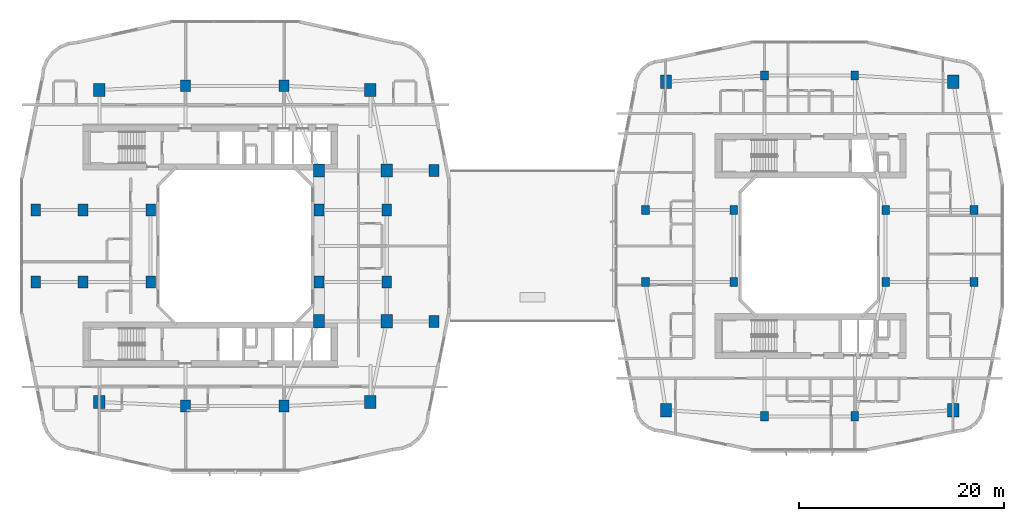
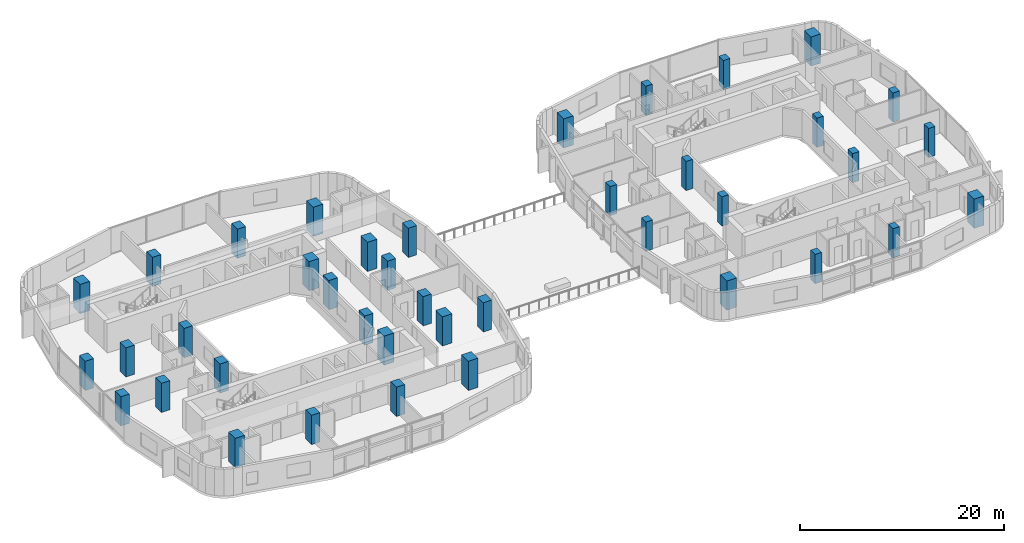
# One storey, part 1 of 25: 40 columns.
"""IFC4 building model written with IfcOpenShell, lengths in metres."""

from ifc_helpers import new_model, si_unit, derived_unit, direction, frame, origin, origin_2d, place, context, subcontext, project, spatial, rectangle, extrude, material, material_profile, profile_set, type_object, element, save


model = new_model("IFC4")

# Units and contexts
model_context = context("Model", 3, precision=1e-05, world=origin(), true_north=direction((0.0, 1.0)))
body_context = subcontext(model_context, "Body", "Model", "MODEL_VIEW")
ifc_project = project(units=[si_unit("LENGTHUNIT", "METRE"), si_unit("AREAUNIT", "SQUARE_METRE"), si_unit("VOLUMEUNIT", "CUBIC_METRE"), si_unit("PLANEANGLEUNIT", "RADIAN"), si_unit("MASSUNIT", "GRAM", prefix="KILO"), derived_unit("THERMALTRANSMITTANCEUNIT", [(si_unit("POWERUNIT", "WATT"), 1), (si_unit("LENGTHUNIT", "METRE"), -2), (si_unit("THERMODYNAMICTEMPERATUREUNIT", "KELVIN"), -1)])], contexts=[model_context])

# Site, building, storey
site_placement = place(None, origin())
site = spatial("IfcSite", under=ifc_project, at=site_placement, CompositionType="ELEMENT")
building_placement = place(site_placement, origin())
building = spatial("IfcBuilding", under=site, at=building_placement, Name="Kivonza Crest Hotel", CompositionType="ELEMENT")
storey_placement = place(building_placement, frame((0.0, 0.0, 24.0)))
storey = spatial("IfcBuildingStorey", under=building, at=storey_placement, Name="L05", CompositionType="ELEMENT", Elevation=24.0)

# Columns
ifc_material_1 = material(Name="Concrete C60/75", Category="concrete")
ifc_material_profile_1 = material_profile(ifc_material_1, rectangle(XDim=0.949951171875, YDim=1.14990234375, at=origin_2d()), Name="RC 1150x950")
ifc_profile_set_1 = profile_set([ifc_material_profile_1], Name="Concrete C60/75")
column_type_1 = type_object("IfcColumnType", Name="CL-RC-1150x950", PredefinedType="COLUMN", material=ifc_profile_set_1)
for number, where, z_axis, x_axis, name in (
    (1, (16.199951171875, 9.39990234375, 0.0), (0.0, 0.0, 1.0), (1.0, 0.0, 0.0), "Tower T1 L05 column S1"),
    (2, (25.800048828125, 9.39990234375, 0.0), (0.0, 0.0, 1.0), (1.0, 0.0, 0.0), "Tower T1 L05 column S2"),
    (3, (16.199951171875, 40.60009765625, 0.0), (0.0, 0.0, 1.0), (1.0, 0.0, 0.0), "Tower T1 L05 column N1"),
    (4, (25.800048828125, 40.60009765625, 0.0), (0.0, 0.0, 1.0), (1.0, 0.0, 0.0), "Tower T1 L05 column N2"),
    (5, (6.199951171875, 21.5, 0.0), (0.0, 0.0, 1.0), (1.0, 0.0, 0.0), "Tower T1 L05 column W1"),
    (6, (6.199951171875, 28.5, 0.0), (0.0, 0.0, 1.0), (1.0, 0.0, 0.0), "Tower T1 L05 column W2"),
    (7, (35.800048828125, 21.5, 0.0), (0.0, 0.0, 1.0), (1.0, 0.0, 0.0), "Tower T1 L05 column E1"),
    (8, (35.800048828125, 28.5, 0.0), (0.0, 0.0, 1.0), (1.0, 0.0, 0.0), "Tower T1 L05 column E2"),
    (9, (12.800048828125, 21.5, 0.0), (0.0, 0.0, 1.0), (1.0, 0.0, 0.0), "Tower T1 L05 column WL1"),
    (10, (12.800048828125, 28.5, 0.0), (0.0, 0.0, 1.0), (1.0, 0.0, 0.0), "Tower T1 L05 column WL2"),
    (11, (29.199951171875, 21.5, 0.0), (0.0, 0.0, 1.0), (1.0, 0.0, 0.0), "Tower T1 L05 column WR1"),
    (12, (29.199951171875, 28.5, 0.0), (0.0, 0.0, 1.0), (1.0, 0.0, 0.0), "Tower T1 L05 column WR2"),
    (13, (1.60009765625, 21.5, 0.0), (0.0, 0.0, 1.0), (1.0, 0.0, 0.0), "Tower T1 L05 column Z1W1"),
    (14, (1.60009765625, 28.5, 0.0), (0.0, 0.0, 1.0), (1.0, 0.0, 0.0), "Tower T1 L05 column Z1W2"),
    (15, (40.39990234375, 17.64990234375, 0.0), (0.0, 0.0, 1.0), (1.0, 0.0, 0.0), "Tower T1 L05 column Z1E1"),
    (16, (40.39990234375, 32.35009765625, 0.0), (0.0, 0.0, 1.0), (1.0, 0.0, 0.0), "Tower T1 L05 column Z1E2"),
):
    element("IfcColumn", number, at=place(storey_placement, frame(where, z_axis=z_axis, x_axis=x_axis)), inside=storey, type_object=column_type_1, Name=name, PredefinedType="COLUMN", context=body_context, shape_type="SweptSolid", body=[
        extrude(rectangle(XDim=0.949951171875, YDim=1.14990234375, at=origin_2d()), origin(), (0.0, 0.0, 1.0), 3.5),
    ])
ifc_material_profile_2 = material_profile(ifc_material_1, rectangle(XDim=1.10009765625, YDim=1.300048828125, at=origin_2d()), Name="RC 1300x1100")
ifc_profile_set_2 = profile_set([ifc_material_profile_2], Name="Concrete C60/75")
column_type_2 = type_object("IfcColumnType", Name="CL-RC-1300x1100", PredefinedType="COLUMN", material=ifc_profile_set_2)
for number, where, z_axis, x_axis, name in (
    (17, (7.800048828125, 9.800048828125, 0.0), (0.0, 0.0, 1.0), (1.0, 0.0, 0.0), "Tower T1 L05 column SW"),
    (18, (34.199951171875, 9.800048828125, 0.0), (0.0, 0.0, 1.0), (1.0, 0.0, 0.0), "Tower T1 L05 column SE"),
    (19, (34.199951171875, 40.199951171875, 0.0), (0.0, 0.0, 1.0), (1.0, 0.0, 0.0), "Tower T1 L05 column NE"),
    (20, (7.800048828125, 40.199951171875, 0.0), (0.0, 0.0, 1.0), (1.0, 0.0, 0.0), "Tower T1 L05 column NW"),
    (21, (35.800048828125, 17.64990234375, 0.0), (0.0, 0.0, 1.0), (1.0, 0.0, 0.0), "Tower T1 L05 column PSE"),
    (22, (35.800048828125, 32.35009765625, 0.0), (0.0, 0.0, 1.0), (1.0, 0.0, 0.0), "Tower T1 L05 column PNE"),
    (23, (29.199951171875, 17.64990234375, 0.0), (0.0, 0.0, 1.0), (1.0, 0.0, 0.0), "Tower T1 L05 column TSE"),
    (24, (29.199951171875, 32.35009765625, 0.0), (0.0, 0.0, 1.0), (1.0, 0.0, 0.0), "Tower T1 L05 column TNE"),
    (25, (63.0, 9.0, 0.0), (0.0, 0.0, 1.0), (1.0, 0.0, 0.0), "Companion Tower T2 L05 column SW"),
    (26, (91.0, 9.0, 0.0), (0.0, 0.0, 1.0), (1.0, 0.0, 0.0), "Companion Tower T2 L05 column SE"),
    (27, (91.0, 41.0, 0.0), (0.0, 0.0, 1.0), (1.0, 0.0, 0.0), "Companion Tower T2 L05 column NE"),
    (28, (63.0, 41.0, 0.0), (0.0, 0.0, 1.0), (1.0, 0.0, 0.0), "Companion Tower T2 L05 column NW"),
):
    element("IfcColumn", number, at=place(storey_placement, frame(where, z_axis=z_axis, x_axis=x_axis)), inside=storey, type_object=column_type_2, Name=name, PredefinedType="COLUMN", context=body_context, shape_type="SweptSolid", body=[
        extrude(rectangle(XDim=1.10009765625, YDim=1.300048828125, at=origin_2d()), origin(), (0.0, 0.0, 1.0), 3.5),
    ])
ifc_material_2 = material(Name="Concrete C50/60", Category="concrete")
ifc_material_profile_3 = material_profile(ifc_material_2, rectangle(XDim=0.75, YDim=0.89990234375, at=origin_2d()), Name="RC 900x750")
ifc_profile_set_3 = profile_set([ifc_material_profile_3], Name="Concrete C50/60")
column_type_3 = type_object("IfcColumnType", Name="CL-RC-900x750", PredefinedType="COLUMN", material=ifc_profile_set_3)
for number, where, z_axis, x_axis, name in (
    (29, (72.60009765625, 8.39990234375, 0.0), (0.0, 0.0, 1.0), (1.0, 0.0, 0.0), "Companion Tower T2 L05 column S1"),
    (30, (81.39990234375, 8.39990234375, 0.0), (0.0, 0.0, 1.0), (1.0, 0.0, 0.0), "Companion Tower T2 L05 column S2"),
    (31, (72.60009765625, 41.60009765625, 0.0), (0.0, 0.0, 1.0), (1.0, 0.0, 0.0), "Companion Tower T2 L05 column N1"),
    (32, (81.39990234375, 41.60009765625, 0.0), (0.0, 0.0, 1.0), (1.0, 0.0, 0.0), "Companion Tower T2 L05 column N2"),
    (33, (61.0, 21.5, 0.0), (0.0, 0.0, 1.0), (1.0, 0.0, 0.0), "Companion Tower T2 L05 column W1"),
    (34, (61.0, 28.5, 0.0), (0.0, 0.0, 1.0), (1.0, 0.0, 0.0), "Companion Tower T2 L05 column W2"),
    (35, (93.0, 21.5, 0.0), (0.0, 0.0, 1.0), (1.0, 0.0, 0.0), "Companion Tower T2 L05 column E1"),
    (36, (93.0, 28.5, 0.0), (0.0, 0.0, 1.0), (1.0, 0.0, 0.0), "Companion Tower T2 L05 column E2"),
    (37, (69.60009765625, 21.5, 0.0), (0.0, 0.0, 1.0), (1.0, 0.0, 0.0), "Companion Tower T2 L05 column WL1"),
    (38, (69.60009765625, 28.5, 0.0), (0.0, 0.0, 1.0), (1.0, 0.0, 0.0), "Companion Tower T2 L05 column WL2"),
    (39, (84.39990234375, 21.5, 0.0), (0.0, 0.0, 1.0), (1.0, 0.0, 0.0), "Companion Tower T2 L05 column WR1"),
    (40, (84.39990234375, 28.5, 0.0), (0.0, 0.0, 1.0), (1.0, 0.0, 0.0), "Companion Tower T2 L05 column WR2"),
):
    element("IfcColumn", number, at=place(storey_placement, frame(where, z_axis=z_axis, x_axis=x_axis)), inside=storey, type_object=column_type_3, Name=name, PredefinedType="COLUMN", context=body_context, shape_type="SweptSolid", body=[
        extrude(rectangle(XDim=0.75, YDim=0.89990234375, at=origin_2d()), origin(), (0.0, 0.0, 1.0), 3.5),
    ])

save(model, "model.ifc")
